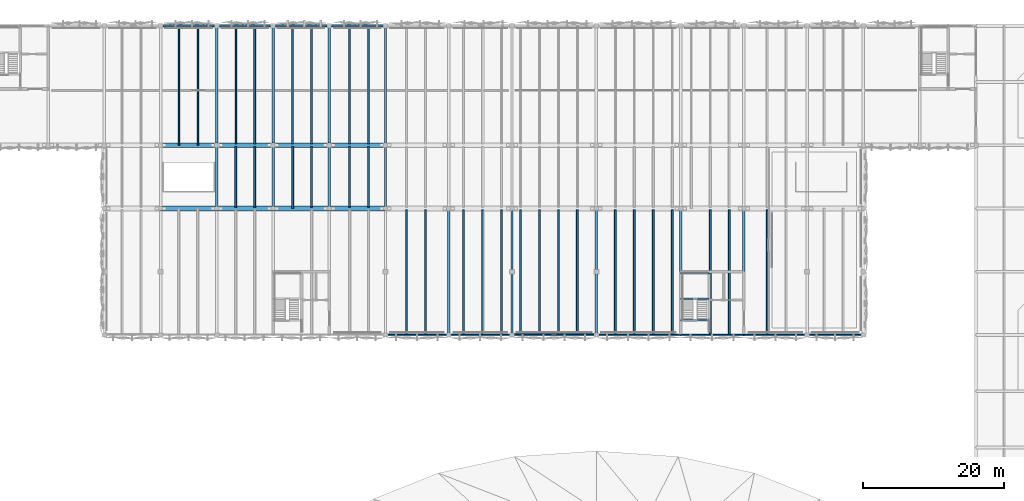
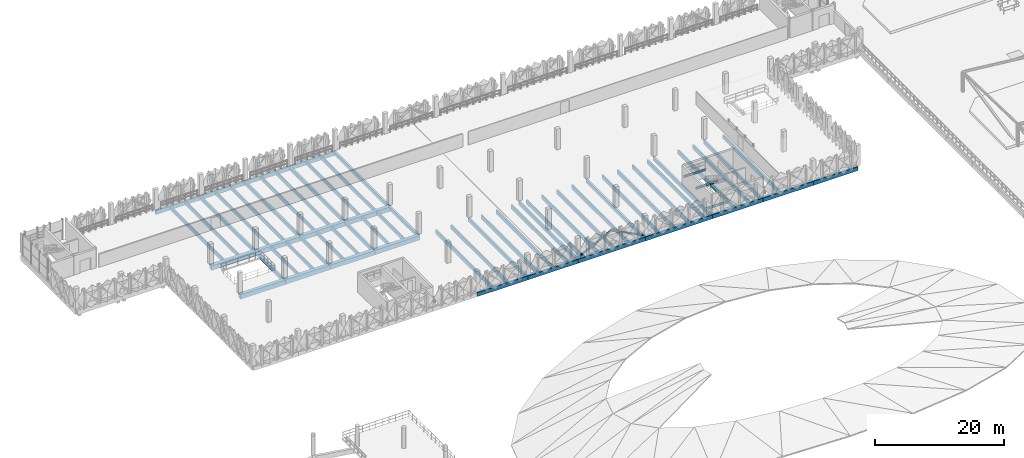
# One storey, part 10 of 52: 65 beams, 2 members.
"""IFC4 building model written with IfcOpenShell, lengths in metres."""

from ifc_helpers import new_model, si_unit, derived_unit, direction, frame, origin, origin_2d, place, context, subcontext, project, spatial, rectangle, hollow_circle, i_section, extrude, material, material_profile, profile_set, type_object, element, save


model = new_model("IFC4")

# Units and contexts
model_context = context("Model", 3, precision=1e-05, world=origin(), true_north=direction((0.0, 1.0)))
body_context = subcontext(model_context, "Body", "Model", "MODEL_VIEW")
ifc_project = project(units=[si_unit("LENGTHUNIT", "METRE"), si_unit("AREAUNIT", "SQUARE_METRE"), si_unit("VOLUMEUNIT", "CUBIC_METRE"), si_unit("PLANEANGLEUNIT", "RADIAN"), si_unit("MASSUNIT", "GRAM", prefix="KILO"), si_unit("THERMODYNAMICTEMPERATUREUNIT", "KELVIN"), derived_unit("THERMALTRANSMITTANCEUNIT", [(si_unit("POWERUNIT", "WATT"), 1), (si_unit("AREAUNIT", "SQUARE_METRE"), -1), (si_unit("THERMODYNAMICTEMPERATUREUNIT", "KELVIN"), -1)])], contexts=[model_context])

# Site, building, storey
site_placement = place(None, origin())
site = spatial("IfcSite", under=ifc_project, at=site_placement, CompositionType="ELEMENT")
building_placement = place(site_placement, origin())
building = spatial("IfcBuilding", under=site, at=building_placement, Name="Haiyu Intermodal Mobility Hub", CompositionType="ELEMENT")
storey_placement = place(building_placement, frame((0.0, 0.0, 21.199951171875)))
storey = spatial("IfcBuildingStorey", under=building, at=storey_placement, Name="L05", CompositionType="ELEMENT", Elevation=21.199951171875)

# Beams
ifc_material_1 = material(Name="Concrete C40", Category="concrete")
ifc_material_profile_1 = material_profile(ifc_material_1, rectangle(XDim=0.35009765625, YDim=0.64990234375, at=origin_2d()), Name="RCB350x650")
ifc_profile_set_1 = profile_set([ifc_material_profile_1], Name="Concrete C40")
beam_type_1 = type_object("IfcBeamType", Name="BM-CB04", PredefinedType="BEAM", material=ifc_profile_set_1)
beam_1_placement = place(storey_placement, frame((54.0, 122.0, -0.599853515625), z_axis=(0.0, 1.0, 0.0), x_axis=(-1.0, 0.0, 0.0)))
element("IfcBeam", 1, at=beam_1_placement, inside=storey, type_object=beam_type_1, Name="BM-V4E-L05-010", PredefinedType="BEAM", context=body_context, shape_type="SweptSolid", body=[
    extrude(rectangle(XDim=0.35009765625, YDim=0.64990234375, at=origin_2d()), origin(), (0.0, 0.0, 1.0), 9.0),
])
beam_2_placement = place(storey_placement, frame((54.0, 131.0, -0.599853515625), z_axis=(0.0, 1.0, 0.0), x_axis=(-1.0, 0.0, 0.0)))
element("IfcBeam", 2, at=beam_2_placement, inside=storey, type_object=beam_type_1, Name="BM-V4E-L05-011", PredefinedType="BEAM", context=body_context, shape_type="SweptSolid", body=[
    extrude(rectangle(XDim=0.35009765625, YDim=0.64990234375, at=origin_2d()), origin(), (0.0, 0.0, 1.0), 17.0),
])
beam_3_placement = place(storey_placement, frame((62.0, 122.0, -0.599853515625), z_axis=(0.0, 1.0, 0.0), x_axis=(-1.0, 0.0, 0.0)))
element("IfcBeam", 3, at=beam_3_placement, inside=storey, type_object=beam_type_1, Name="BM-V4E-L05-013", PredefinedType="BEAM", context=body_context, shape_type="SweptSolid", body=[
    extrude(rectangle(XDim=0.35009765625, YDim=0.64990234375, at=origin_2d()), origin(), (0.0, 0.0, 1.0), 9.0),
])
beam_4_placement = place(storey_placement, frame((62.0, 131.0, -0.599853515625), z_axis=(0.0, 1.0, 0.0), x_axis=(-1.0, 0.0, 0.0)))
element("IfcBeam", 4, at=beam_4_placement, inside=storey, type_object=beam_type_1, Name="BM-V4E-L05-014", PredefinedType="BEAM", context=body_context, shape_type="SweptSolid", body=[
    extrude(rectangle(XDim=0.35009765625, YDim=0.64990234375, at=origin_2d()), origin(), (0.0, 0.0, 1.0), 17.0),
])
beam_5_placement = place(storey_placement, frame((70.0, 122.0, -0.599853515625), z_axis=(0.0, 1.0, 0.0), x_axis=(-1.0, 0.0, 0.0)))
element("IfcBeam", 5, at=beam_5_placement, inside=storey, type_object=beam_type_1, Name="BM-V4E-L05-016", PredefinedType="BEAM", context=body_context, shape_type="SweptSolid", body=[
    extrude(rectangle(XDim=0.35009765625, YDim=0.64990234375, at=origin_2d()), origin(), (0.0, 0.0, 1.0), 9.0),
])
beam_6_placement = place(storey_placement, frame((70.0, 131.0, -0.599853515625), z_axis=(0.0, 1.0, 0.0), x_axis=(-1.0, 0.0, 0.0)))
element("IfcBeam", 6, at=beam_6_placement, inside=storey, type_object=beam_type_1, Name="BM-V4E-L05-017", PredefinedType="BEAM", context=body_context, shape_type="SweptSolid", body=[
    extrude(rectangle(XDim=0.35009765625, YDim=0.64990234375, at=origin_2d()), origin(), (0.0, 0.0, 1.0), 17.0),
])
beam_7_placement = place(storey_placement, frame((78.0, 122.0, -0.599853515625), z_axis=(0.0, 1.0, 0.0), x_axis=(-1.0, 0.0, 0.0)))
element("IfcBeam", 7, at=beam_7_placement, inside=storey, type_object=beam_type_1, Name="BM-V4E-L05-019", PredefinedType="BEAM", context=body_context, shape_type="SweptSolid", body=[
    extrude(rectangle(XDim=0.35009765625, YDim=0.64990234375, at=origin_2d()), origin(), (0.0, 0.0, 1.0), 9.0),
])
beam_8_placement = place(storey_placement, frame((78.0, 131.0, -0.599853515625), z_axis=(0.0, 1.0, 0.0), x_axis=(-1.0, 0.0, 0.0)))
element("IfcBeam", 8, at=beam_8_placement, inside=storey, type_object=beam_type_1, Name="BM-V4E-L05-020", PredefinedType="BEAM", context=body_context, shape_type="SweptSolid", body=[
    extrude(rectangle(XDim=0.35009765625, YDim=0.64990234375, at=origin_2d()), origin(), (0.0, 0.0, 1.0), 17.0),
])
for number, where, z_axis, x_axis, name in (
    (9, (87.0, 104.0, -0.599853515625), (0.0, 1.0, 0.0), (-1.0, 0.0, 0.0), "BM-V4E-L05-021"),
    (10, (96.0, 104.0, -0.599853515625), (0.0, 1.0, 0.0), (-1.0, 0.0, 0.0), "BM-V4E-L05-024"),
    (11, (108.0, 104.0, -0.599853515625), (0.0, 1.0, 0.0), (-1.0, 0.0, 0.0), "BM-V4E-L05-027"),
    (12, (120.0, 104.0, -0.599853515625), (0.0, 1.0, 0.0), (-1.0, 0.0, 0.0), "BM-V4E-L05-030"),
    (13, (129.0, 104.0, -0.599853515625), (0.0, 1.0, 0.0), (-1.0, 0.0, 0.0), "BM-V4E-L05-033"),
):
    element("IfcBeam", number, at=place(storey_placement, frame(where, z_axis=z_axis, x_axis=x_axis)), inside=storey, type_object=beam_type_1, Name=name, PredefinedType="BEAM", context=body_context, shape_type="SweptSolid", body=[
        extrude(rectangle(XDim=0.35009765625, YDim=0.64990234375, at=origin_2d()), origin(), (0.0, 0.0, 1.0), 18.0),
    ])
ifc_material_2 = material(Name="Precast concrete C50", Category="concrete")
ifc_material_profile_2 = material_profile(ifc_material_2, rectangle(XDim=0.219970703125, YDim=0.719970703125, at=origin_2d()), Name="PC220x720")
ifc_profile_set_2 = profile_set([ifc_material_profile_2], Name="Precast concrete C50")
beam_type_2 = type_object("IfcBeamType", Name="BM-DT02", PredefinedType="JOIST", material=ifc_profile_set_2)
for number, where, z_axis, x_axis, name in (
    (14, (48.60009765625, 131.0, -0.635009765625), (0.0, 1.0, 0.0), (-1.0, 0.0, 0.0), "BM-DT-L05-008"),
    (15, (51.300048828125, 131.0, -0.635009765625), (0.0, 1.0, 0.0), (-1.0, 0.0, 0.0), "BM-DT-L05-010"),
):
    element("IfcBeam", number, at=place(storey_placement, frame(where, z_axis=z_axis, x_axis=x_axis)), inside=storey, type_object=beam_type_2, Name=name, PredefinedType="JOIST", context=body_context, shape_type="SweptSolid", body=[
        extrude(rectangle(XDim=0.219970703125, YDim=0.719970703125, at=origin_2d()), origin(), (0.0, 0.0, 1.0), 17.0),
    ])
for number, where, z_axis, x_axis, name in (
    (16, (56.699951171875, 131.195068359375, -0.635009765625), (0.0, 1.0, 0.0), (-1.0, 0.0, 0.0), "BM-DT-L05-013"),
    (17, (59.39990234375, 131.195068359375, -0.635009765625), (0.0, 1.0, 0.0), (-1.0, 0.0, 0.0), "BM-DT-L05-016"),
    (18, (64.800048828125, 131.195068359375, -0.635009765625), (0.0, 1.0, 0.0), (-1.0, 0.0, 0.0), "BM-DT-L05-019"),
    (19, (67.5, 131.195068359375, -0.635009765625), (0.0, 1.0, 0.0), (-1.0, 0.0, 0.0), "BM-DT-L05-022"),
    (20, (72.89990234375, 131.195068359375, -0.635009765625), (0.0, 1.0, 0.0), (-1.0, 0.0, 0.0), "BM-DT-L05-025"),
    (21, (75.60009765625, 131.195068359375, -0.635009765625), (0.0, 1.0, 0.0), (-1.0, 0.0, 0.0), "BM-DT-L05-028"),
):
    element("IfcBeam", number, at=place(storey_placement, frame(where, z_axis=z_axis, x_axis=x_axis)), inside=storey, type_object=beam_type_2, Name=name, PredefinedType="JOIST", context=body_context, shape_type="SweptSolid", body=[
        extrude(rectangle(XDim=0.219970703125, YDim=0.719970703125, at=origin_2d()), origin(), (0.0, 0.0, 1.0), 16.804931640625),
    ])
ifc_material_profile_3 = material_profile(ifc_material_2, rectangle(XDim=0.25, YDim=0.75, at=origin_2d()), Name="B250x750")
ifc_profile_set_3 = profile_set([ifc_material_profile_3], Name="Precast concrete C50")
beam_type_3 = type_object("IfcBeamType", Name="BM-DT05", PredefinedType="JOIST", material=ifc_profile_set_3)
for number, where, z_axis, x_axis, name in (
    (22, (81.0, 104.0, -0.64990234375), (0.0, 1.0, 0.0), (-1.0, 0.0, 0.0), "BM-DT-L05-029"),
    (23, (83.699951171875, 104.0, -0.64990234375), (0.0, 1.0, 0.0), (-1.0, 0.0, 0.0), "BM-DT-L05-032"),
    (24, (89.10009765625, 104.0, -0.64990234375), (0.0, 1.0, 0.0), (-1.0, 0.0, 0.0), "BM-DT-L05-035"),
    (25, (91.800048828125, 104.0, -0.64990234375), (0.0, 1.0, 0.0), (-1.0, 0.0, 0.0), "BM-DT-L05-038"),
    (26, (94.5, 104.0, -0.64990234375), (0.0, 1.0, 0.0), (-1.0, 0.0, 0.0), "BM-DT-L05-041"),
    (27, (97.199951171875, 104.0, -0.64990234375), (0.0, 1.0, 0.0), (-1.0, 0.0, 0.0), "BM-DT-L05-044"),
    (28, (99.89990234375, 104.0, -0.64990234375), (0.0, 1.0, 0.0), (-1.0, 0.0, 0.0), "BM-DT-L05-047"),
    (29, (102.60009765625, 104.0, -0.64990234375), (0.0, 1.0, 0.0), (-1.0, 0.0, 0.0), "BM-DT-L05-050"),
    (30, (105.300048828125, 104.0, -0.64990234375), (0.0, 1.0, 0.0), (-1.0, 0.0, 0.0), "BM-DT-L05-053"),
    (31, (110.699951171875, 104.0, -0.64990234375), (0.0, 1.0, 0.0), (-1.0, 0.0, 0.0), "BM-DT-L05-056"),
    (32, (113.39990234375, 104.0, -0.64990234375), (0.0, 1.0, 0.0), (-1.0, 0.0, 0.0), "BM-DT-L05-059"),
    (33, (116.10009765625, 104.0, -0.64990234375), (0.0, 1.0, 0.0), (-1.0, 0.0, 0.0), "BM-DT-L05-062"),
    (34, (118.800048828125, 104.0, -0.64990234375), (0.0, 1.0, 0.0), (-1.0, 0.0, 0.0), "BM-DT-L05-065"),
    (35, (124.199951171875, 104.0, -0.64990234375), (0.0, 1.0, 0.0), (-1.0, 0.0, 0.0), "BM-DT-L05-071"),
    (36, (126.89990234375, 104.0, -0.64990234375), (0.0, 1.0, 0.0), (-1.0, 0.0, 0.0), "BM-DT-L05-074"),
    (37, (132.300048828125, 104.0, -0.64990234375), (0.0, 1.0, 0.0), (-1.0, 0.0, 0.0), "BM-DT-L05-077"),
):
    element("IfcBeam", number, at=place(storey_placement, frame(where, z_axis=z_axis, x_axis=x_axis)), inside=storey, type_object=beam_type_3, Name=name, PredefinedType="JOIST", context=body_context, shape_type="SweptSolid", body=[
        extrude(rectangle(XDim=0.25, YDim=0.75, at=origin_2d()), origin(), (0.0, 0.0, 1.0), 17.804931640625),
    ])
ifc_material_profile_4 = material_profile(ifc_material_2, rectangle(XDim=0.22998046875, YDim=0.68994140625, at=origin_2d()), Name="B230x690")
ifc_profile_set_4 = profile_set([ifc_material_profile_4], Name="Precast concrete C50")
beam_type_4 = type_object("IfcBeamType", Name="BM-DT06", PredefinedType="JOIST", material=ifc_profile_set_4)
for number, where, z_axis, x_axis, name in (
    (38, (56.699951171875, 122.195068359375, -0.619873046875), (0.0, 1.0, 0.0), (-1.0, 0.0, 0.0), "BM-DT-L05-012"),
    (39, (59.39990234375, 122.195068359375, -0.619873046875), (0.0, 1.0, 0.0), (-1.0, 0.0, 0.0), "BM-DT-L05-015"),
):
    element("IfcBeam", number, at=place(storey_placement, frame(where, z_axis=z_axis, x_axis=x_axis)), inside=storey, type_object=beam_type_4, Name=name, PredefinedType="JOIST", context=body_context, shape_type="SweptSolid", body=[
        extrude(rectangle(XDim=0.22998046875, YDim=0.68994140625, at=origin_2d()), origin(), (0.0, 0.0, 1.0), 8.60986328125),
    ])
beam_9_placement = place(storey_placement, frame((64.800048828125, 122.0, -0.619873046875), z_axis=(0.0, 1.0, 0.0), x_axis=(-1.0, 0.0, 0.0)))
element("IfcBeam", 40, at=beam_9_placement, inside=storey, type_object=beam_type_4, Name="BM-DT-L05-018", PredefinedType="JOIST", context=body_context, shape_type="SweptSolid", body=[
    extrude(rectangle(XDim=0.22998046875, YDim=0.68994140625, at=origin_2d()), origin(), (0.0, 0.0, 1.0), 8.804931640625),
])
for number, where, z_axis, x_axis, name in (
    (41, (67.5, 122.195068359375, -0.619873046875), (0.0, 1.0, 0.0), (-1.0, 0.0, 0.0), "BM-DT-L05-021"),
    (42, (72.89990234375, 122.195068359375, -0.619873046875), (0.0, 1.0, 0.0), (-1.0, 0.0, 0.0), "BM-DT-L05-024"),
    (43, (75.60009765625, 122.195068359375, -0.619873046875), (0.0, 1.0, 0.0), (-1.0, 0.0, 0.0), "BM-DT-L05-027"),
):
    element("IfcBeam", number, at=place(storey_placement, frame(where, z_axis=z_axis, x_axis=x_axis)), inside=storey, type_object=beam_type_4, Name=name, PredefinedType="JOIST", context=body_context, shape_type="SweptSolid", body=[
        extrude(rectangle(XDim=0.22998046875, YDim=0.68994140625, at=origin_2d()), origin(), (0.0, 0.0, 1.0), 8.60986328125),
    ])
ifc_material_profile_5 = material_profile(ifc_material_2, rectangle(XDim=0.64990234375, YDim=0.85009765625, at=origin_2d()), Name="PC650x850")
ifc_profile_set_5 = profile_set([ifc_material_profile_5], Name="Precast concrete C50")
beam_type_5 = type_object("IfcBeamType", Name="BM-IT03", PredefinedType="T_BEAM", material=ifc_profile_set_5)
for number, where, z_axis, x_axis, name in (
    (44, (46.0, 122.0, -0.699951171875), (1.0, 0.0, 0.0), (0.0, 1.0, 0.0), "BM-V4G-L05-014"),
    (45, (54.0, 122.0, -0.699951171875), (1.0, 0.0, 0.0), (0.0, 1.0, 0.0), "BM-V4G-L05-015"),
    (46, (62.0, 122.0, -0.699951171875), (1.0, 0.0, 0.0), (0.0, 1.0, 0.0), "BM-V4G-L05-016"),
    (47, (70.0, 122.0, -0.699951171875), (1.0, 0.0, 0.0), (0.0, 1.0, 0.0), "BM-V4G-L05-017"),
    (48, (46.0, 131.0, -0.699951171875), (1.0, 0.0, 0.0), (0.0, 1.0, 0.0), "BM-V4G-L05-028"),
    (49, (54.0, 131.0, -0.699951171875), (1.0, 0.0, 0.0), (0.0, 1.0, 0.0), "BM-V4G-L05-029"),
    (50, (62.0, 131.0, -0.699951171875), (1.0, 0.0, 0.0), (0.0, 1.0, 0.0), "BM-V4G-L05-030"),
    (51, (70.0, 131.0, -0.699951171875), (1.0, 0.0, 0.0), (0.0, 1.0, 0.0), "BM-V4G-L05-031"),
):
    element("IfcBeam", number, at=place(storey_placement, frame(where, z_axis=z_axis, x_axis=x_axis)), inside=storey, type_object=beam_type_5, Name=name, PredefinedType="T_BEAM", context=body_context, shape_type="SweptSolid", body=[
        extrude(rectangle(XDim=0.64990234375, YDim=0.85009765625, at=origin_2d()), origin(), (0.0, 0.0, 1.0), 8.0),
    ])
ifc_material_3 = material(Name="Steel Q355C", Category="steel")
ifc_material_profile_6 = material_profile(ifc_material_3, i_section(OverallWidth=0.199951171875, OverallDepth=0.39990234375, WebThickness=0.008056640625, FlangeThickness=0.012939453125, FilletRadius=0.01611328125, at=origin_2d()), Name="HN400x200x8x13")
ifc_profile_set_6 = profile_set([ifc_material_profile_6], Name="Steel Q355C")
beam_type_6 = type_object("IfcBeamType", Name="BM-SB08", PredefinedType="JOIST", material=ifc_profile_set_6)
for number, where, z_axis, x_axis, name in (
    (52, (120.0, 106.10009765625, -0.52490234375), (1.0, 0.0, 0.0), (0.0, 1.0, 0.0), "Stair Arrival Trimmer Beam C6-L04"),
    (53, (120.0, 109.1298828125, 1.525146484375), (1.0, 0.0, 0.0), (0.0, 1.0, 0.0), "Stair Half-Landing Front Beam C6-L05"),
    (54, (120.0, 112.780029296875, 1.525146484375), (1.0, 0.0, 0.0), (0.0, 1.0, 0.0), "Stair Half-Landing Rear Beam C6-L05"),
):
    element("IfcBeam", number, at=place(storey_placement, frame(where, z_axis=z_axis, x_axis=x_axis)), inside=storey, type_object=beam_type_6, Name=name, PredefinedType="JOIST", context=body_context, shape_type="SweptSolid", body=[
        extrude(i_section(OverallWidth=0.199951171875, OverallDepth=0.39990234375, WebThickness=0.008056640625, FlangeThickness=0.012939453125, FilletRadius=0.01611328125, at=origin_2d()), origin(), (0.0, 0.0, 1.0), 4.050048828125),
    ])
ifc_material_4 = material(Name="Precast concrete C40", Category="concrete")
ifc_material_profile_7 = material_profile(ifc_material_4, rectangle(XDim=0.280029296875, YDim=0.739990234375, at=origin_2d()), Name="B280x740")
ifc_profile_set_7 = profile_set([ifc_material_profile_7], Name="Precast concrete C40")
beam_type_7 = type_object("IfcBeamType", Name="BM-SP05", PredefinedType="SPANDREL", material=ifc_profile_set_7)
for number, where, z_axis, x_axis, name in (
    (55, (78.0, 104.0, -0.64501953125), (1.0, 0.0, 0.0), (0.0, 1.0, 0.0), "BM-V4G-L05-006"),
    (56, (87.0, 104.0, -0.64501953125), (1.0, 0.0, 0.0), (0.0, 1.0, 0.0), "BM-V4G-L05-007"),
):
    element("IfcBeam", number, at=place(storey_placement, frame(where, z_axis=z_axis, x_axis=x_axis)), inside=storey, type_object=beam_type_7, Name=name, PredefinedType="SPANDREL", context=body_context, shape_type="SweptSolid", body=[
        extrude(rectangle(XDim=0.280029296875, YDim=0.739990234375, at=origin_2d()), origin(), (0.0, 0.0, 1.0), 9.0),
    ])
for number, where, z_axis, x_axis, name in (
    (57, (96.0, 104.0, -0.64501953125), (1.0, 0.0, 0.0), (0.0, 1.0, 0.0), "BM-V4G-L05-008"),
    (58, (108.0, 104.0, -0.64501953125), (1.0, 0.0, 0.0), (0.0, 1.0, 0.0), "BM-V4G-L05-009"),
):
    element("IfcBeam", number, at=place(storey_placement, frame(where, z_axis=z_axis, x_axis=x_axis)), inside=storey, type_object=beam_type_7, Name=name, PredefinedType="SPANDREL", context=body_context, shape_type="SweptSolid", body=[
        extrude(rectangle(XDim=0.280029296875, YDim=0.739990234375, at=origin_2d()), origin(), (0.0, 0.0, 1.0), 12.0),
    ])
for number, where, z_axis, x_axis, name in (
    (59, (120.0, 104.0, -0.64501953125), (1.0, 0.0, 0.0), (0.0, 1.0, 0.0), "BM-V4G-L05-010"),
    (60, (129.0, 104.0, -0.64501953125), (1.0, 0.0, 0.0), (0.0, 1.0, 0.0), "BM-V4G-L05-011"),
):
    element("IfcBeam", number, at=place(storey_placement, frame(where, z_axis=z_axis, x_axis=x_axis)), inside=storey, type_object=beam_type_7, Name=name, PredefinedType="SPANDREL", context=body_context, shape_type="SweptSolid", body=[
        extrude(rectangle(XDim=0.280029296875, YDim=0.739990234375, at=origin_2d()), origin(), (0.0, 0.0, 1.0), 9.0),
    ])
for number, where, z_axis, x_axis, name in (
    (61, (138.0, 104.0, -0.64501953125), (1.0, 0.0, 0.0), (0.0, 1.0, 0.0), "BM-V4G-L05-012"),
    (62, (46.0, 148.0, -0.64501953125), (1.0, 0.0, 0.0), (0.0, 1.0, 0.0), "BM-V4G-L05-044"),
    (63, (54.0, 148.0, -0.64501953125), (1.0, 0.0, 0.0), (0.0, 1.0, 0.0), "BM-V4G-L05-045"),
    (64, (62.0, 148.0, -0.64501953125), (1.0, 0.0, 0.0), (0.0, 1.0, 0.0), "BM-V4G-L05-046"),
    (65, (70.0, 148.0, -0.64501953125), (1.0, 0.0, 0.0), (0.0, 1.0, 0.0), "BM-V4G-L05-047"),
):
    element("IfcBeam", number, at=place(storey_placement, frame(where, z_axis=z_axis, x_axis=x_axis)), inside=storey, type_object=beam_type_7, Name=name, PredefinedType="SPANDREL", context=body_context, shape_type="SweptSolid", body=[
        extrude(rectangle(XDim=0.280029296875, YDim=0.739990234375, at=origin_2d()), origin(), (0.0, 0.0, 1.0), 8.0),
    ])

# Members
ifc_material_profile_8 = material_profile(ifc_material_3, hollow_circle(Radius=0.177978515625, WallThickness=0.011962890625, at=origin_2d()), Name="CHS356x12")
ifc_profile_set_8 = profile_set([ifc_material_profile_8], Name="Steel Q355C")
member_type = type_object("IfcMemberType", Name="MEM-BR01", PredefinedType="BRACE", material=ifc_profile_set_8)
for number, where, z_axis, x_axis, name in (
    (66, (96.0, 104.0, 0.0), (0.894427191, 0.0, 0.4472135955), (0.0, 1.0, 0.0), "Seismic Chevron Brace B5-L05-A"),
    (67, (108.0, 104.0, 0.0), (-0.894427191, 0.0, 0.4472135955), (0.0, -1.0, 0.0), "Seismic Chevron Brace B5-L05-B"),
):
    element("IfcMember", number, at=place(storey_placement, frame(where, z_axis=z_axis, x_axis=x_axis)), inside=storey, type_object=member_type, Name=name, PredefinedType="BRACE", context=body_context, shape_type="SweptSolid", body=[
        extrude(hollow_circle(Radius=0.177978515625, WallThickness=0.011962890625, at=origin_2d()), origin(), (0.0, 0.0, 1.0), 6.708251953125),
    ])

save(model, "model.ifc")
